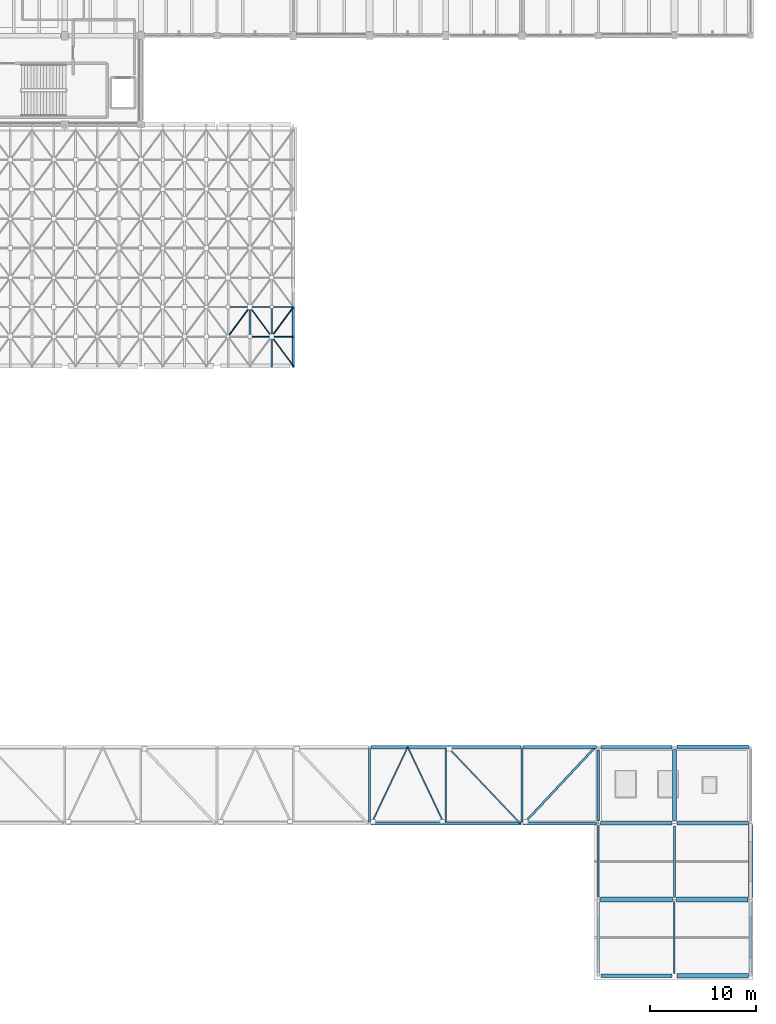
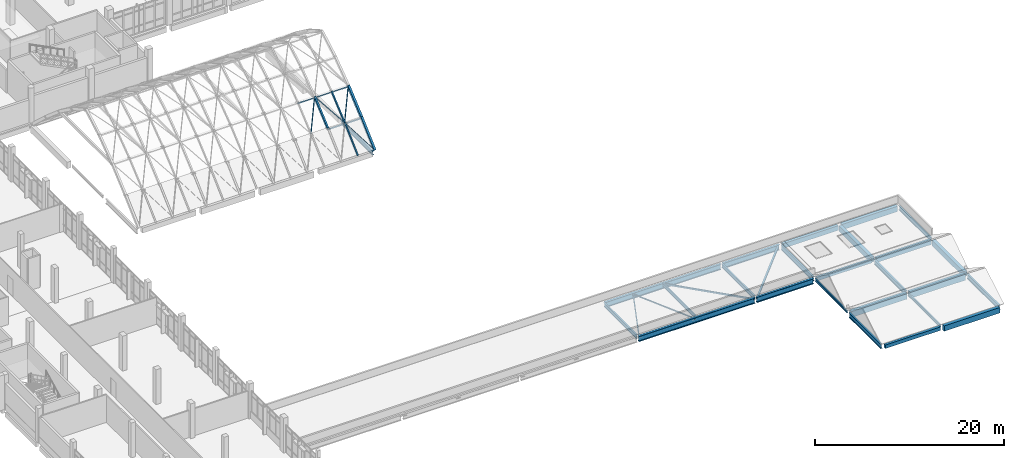
# One storey, part 24 of 87: 25 beams, 18 members.
"""IFC4 building model written with IfcOpenShell, lengths in metres."""

from ifc_helpers import new_model, si_unit, direction, frame, origin, origin_2d, place, context, subcontext, project, spatial, rectangle, hollow_rectangle, hollow_circle, i_section, extrude, material, material_profile, profile_set, type_object, element, save


model = new_model("IFC4")

# Units and contexts
model_context = context("Model", 3, precision=1e-05, world=origin(), true_north=direction((0.0, 1.0)))
body_context = subcontext(model_context, "Body", "Model", "MODEL_VIEW")
ifc_project = project(units=[si_unit("LENGTHUNIT", "METRE"), si_unit("AREAUNIT", "SQUARE_METRE"), si_unit("VOLUMEUNIT", "CUBIC_METRE"), si_unit("PLANEANGLEUNIT", "RADIAN"), si_unit("MASSUNIT", "GRAM", prefix="KILO")], contexts=[model_context])

# Site, building, storey
site_placement = place(None, origin())
site = spatial("IfcSite", under=ifc_project, at=site_placement, CompositionType="ELEMENT")
building_placement = place(site_placement, origin())
building = spatial("IfcBuilding", under=site, at=building_placement, Name="Kalluvel Institute of Natural Sciences", CompositionType="ELEMENT")
storey_placement = place(building_placement, frame((0.0, 0.0, 18.89990234375)))
storey = spatial("IfcBuildingStorey", under=building, at=storey_placement, Name="L04", CompositionType="ELEMENT", Elevation=18.89990234375)

# Beams
ifc_material_1 = material(Name="Steel E350 Grade 350", Category="steel")
ifc_material_profile_1 = material_profile(ifc_material_1, i_section(OverallWidth=0.139892578125, OverallDepth=0.35009765625, WebThickness=0.008056640625, FlangeThickness=0.01416015625, FilletRadius=0.013916015625, at=origin_2d()), Name="ISMB 350")
ifc_profile_set_1 = profile_set([ifc_material_profile_1], Name="Steel E350 Grade 350")
beam_type_1 = type_object("IfcBeamType", Name="BM-ISMB350", PredefinedType="BEAM", material=ifc_profile_set_1)
for number, where, z_axis, x_axis, name in (
    (1, (100.39990234375, 21.425048828125, -0.494873046875), (0.0, 1.0, 0.0), (-1.0, 0.0, 0.0), "L04 girder GIR-L04-NS-X1004-Y212"),
    (2, (107.60009765625, 14.22509765625, -0.494873046875), (0.0, 1.0, 0.0), (-1.0, 0.0, 0.0), "L04 girder GIR-L04-NS-X1076-Y140"),
):
    element("IfcBeam", number, at=place(storey_placement, frame(where, z_axis=z_axis, x_axis=x_axis)), inside=storey, type_object=beam_type_1, Name=name, PredefinedType="BEAM", context=body_context, shape_type="SweptSolid", body=[
        extrude(i_section(OverallWidth=0.139892578125, OverallDepth=0.35009765625, WebThickness=0.008056640625, FlangeThickness=0.01416015625, FilletRadius=0.013916015625, at=origin_2d()), origin(), (0.0, 0.0, 1.0), 6.77490234375),
    ])
ifc_material_profile_2 = material_profile(ifc_material_1, i_section(OverallWidth=0.14990234375, OverallDepth=0.449951171875, WebThickness=0.009521484375, FlangeThickness=0.017333984375, FilletRadius=0.014892578125, at=origin_2d()), Name="ISMB 450")
ifc_profile_set_2 = profile_set([ifc_material_profile_2], Name="Steel E350 Grade 350")
beam_type_2 = type_object("IfcBeamType", Name="BM-ISMB450", PredefinedType="BEAM", material=ifc_profile_set_2)
beam_1_placement = place(storey_placement, frame((86.0, 28.5400390625, -0.474853515625), z_axis=(0.0, 1.0, 0.0), x_axis=(-1.0, 0.0, 0.0)))
element("IfcBeam", 3, at=beam_1_placement, inside=storey, type_object=beam_type_2, Name="L04 link bridge cross girder 77", PredefinedType="BEAM", context=body_context, shape_type="SweptSolid", body=[
    extrude(i_section(OverallWidth=0.14990234375, OverallDepth=0.449951171875, WebThickness=0.009521484375, FlangeThickness=0.017333984375, FilletRadius=0.014892578125, at=origin_2d()), origin(), (0.0, 0.0, 1.0), 6.919921875),
])
ifc_material_profile_3 = material_profile(ifc_material_1, i_section(OverallWidth=0.179931640625, OverallDepth=0.5, WebThickness=0.01025390625, FlangeThickness=0.01708984375, FilletRadius=0.01708984375, at=origin_2d()), Name="ISMB 500")
ifc_profile_set_3 = profile_set([ifc_material_profile_3], Name="Steel E350 Grade 350")
beam_type_3 = type_object("IfcBeamType", Name="BM-ISMB500", PredefinedType="BEAM", material=ifc_profile_set_3)
beam_2_placement = place(storey_placement, frame((71.60009765625, 71.925048828125, -0.56982421875), z_axis=(0.0, 1.0, 0.0), x_axis=(-1.0, 0.0, 0.0)))
element("IfcBeam", 4, at=beam_2_placement, inside=storey, type_object=beam_type_3, Name="L04 girder GIR-L04-NS-X716-Y716", PredefinedType="BEAM", context=body_context, shape_type="SweptSolid", body=[
    extrude(i_section(OverallWidth=0.179931640625, OverallDepth=0.5, WebThickness=0.01025390625, FlangeThickness=0.01708984375, FilletRadius=0.01708984375, at=origin_2d()), origin(), (0.0, 0.0, 1.0), 6.64990234375),
])
beam_3_placement = place(storey_placement, frame((114.800048828125, 28.625, -0.56982421875), z_axis=(0.0, 1.0, 0.0), x_axis=(-1.0, 0.0, 0.0)))
element("IfcBeam", 5, at=beam_3_placement, inside=storey, type_object=beam_type_3, Name="L04 girder GIR-L04-NS-X1148-Y284", PredefinedType="BEAM", context=body_context, shape_type="SweptSolid", body=[
    extrude(i_section(OverallWidth=0.179931640625, OverallDepth=0.5, WebThickness=0.01025390625, FlangeThickness=0.01708984375, FilletRadius=0.01708984375, at=origin_2d()), origin(), (0.0, 0.0, 1.0), 6.77490234375),
])
for number, where, z_axis, x_axis, name in (
    (6, (78.800048828125, 28.5400390625, -0.5), (0.0, 1.0, 0.0), (-1.0, 0.0, 0.0), "L04 link bridge cross girder 76"),
    (7, (93.199951171875, 28.5400390625, -0.5), (0.0, 1.0, 0.0), (-1.0, 0.0, 0.0), "L04 link bridge cross girder 78"),
):
    element("IfcBeam", number, at=place(storey_placement, frame(where, z_axis=z_axis, x_axis=x_axis)), inside=storey, type_object=beam_type_3, Name=name, PredefinedType="BEAM", context=body_context, shape_type="SweptSolid", body=[
        extrude(i_section(OverallWidth=0.179931640625, OverallDepth=0.5, WebThickness=0.01025390625, FlangeThickness=0.01708984375, FilletRadius=0.01708984375, at=origin_2d()), origin(), (0.0, 0.0, 1.0), 6.919921875),
    ])
ifc_material_profile_4 = material_profile(ifc_material_1, i_section(OverallWidth=0.2099609375, OverallDepth=0.60009765625, WebThickness=0.011962890625, FlangeThickness=0.020751953125, FilletRadius=0.02001953125, at=origin_2d()), Name="ISMB 600")
ifc_profile_set_4 = profile_set([ifc_material_profile_4], Name="Steel E350 Grade 350")
beam_type_4 = type_object("IfcBeamType", Name="BM-ISMB600", PredefinedType="BEAM", material=ifc_profile_set_4)
beam_4_placement = place(storey_placement, frame((100.39990234375, 14.25, -0.619873046875), z_axis=(0.0, 1.0, 0.0), x_axis=(-1.0, 0.0, 0.0)))
element("IfcBeam", 8, at=beam_4_placement, inside=storey, type_object=beam_type_4, Name="L04 girder GIR-L04-NS-X1004-Y140", PredefinedType="BEAM", context=body_context, shape_type="SweptSolid", body=[
    extrude(i_section(OverallWidth=0.2099609375, OverallDepth=0.60009765625, WebThickness=0.011962890625, FlangeThickness=0.020751953125, FilletRadius=0.02001953125, at=origin_2d()), origin(), (0.0, 0.0, 1.0), 6.72509765625),
])
for number, where, z_axis, x_axis, name in (
    (9, (100.39990234375, 28.60009765625, -0.619873046875), (0.0, 1.0, 0.0), (-1.0, 0.0, 0.0), "L04 girder GIR-L04-NS-X1004-Y284"),
    (10, (107.60009765625, 21.39990234375, -0.619873046875), (0.0, 1.0, 0.0), (-1.0, 0.0, 0.0), "L04 girder GIR-L04-NS-X1076-Y212"),
    (11, (114.800048828125, 14.199951171875, -0.619873046875), (0.0, 1.0, 0.0), (-1.0, 0.0, 0.0), "L04 girder GIR-L04-NS-X1148-Y140"),
):
    element("IfcBeam", number, at=place(storey_placement, frame(where, z_axis=z_axis, x_axis=x_axis)), inside=storey, type_object=beam_type_4, Name=name, PredefinedType="BEAM", context=body_context, shape_type="SweptSolid", body=[
        extrude(i_section(OverallWidth=0.2099609375, OverallDepth=0.60009765625, WebThickness=0.011962890625, FlangeThickness=0.020751953125, FilletRadius=0.02001953125, at=origin_2d()), origin(), (0.0, 0.0, 1.0), 6.75),
    ])
ifc_material_2 = material(Name="Concrete M40", Category="concrete")
ifc_material_profile_5 = material_profile(ifc_material_2, rectangle(XDim=0.39990234375, YDim=0.699951171875, at=origin_2d()), Name="RCB 400x700")
ifc_profile_set_5 = profile_set([ifc_material_profile_5], Name="Concrete M40")
beam_type_5 = type_object("IfcBeamType", Name="BM-RC400x700", PredefinedType="BEAM", material=ifc_profile_set_5)
for number, where, z_axis, x_axis, name in (
    (12, (107.60009765625, 28.64990234375, -0.669921875), (0.0, 1.0, 0.0), (-1.0, 0.0, 0.0), "L04 girder GIR-L04-NS-X1076-Y284"),
    (13, (114.800048828125, 21.449951171875, -0.669921875), (0.0, 1.0, 0.0), (-1.0, 0.0, 0.0), "L04 girder GIR-L04-NS-X1148-Y212"),
):
    element("IfcBeam", number, at=place(storey_placement, frame(where, z_axis=z_axis, x_axis=x_axis)), inside=storey, type_object=beam_type_5, Name=name, PredefinedType="BEAM", context=body_context, shape_type="SweptSolid", body=[
        extrude(rectangle(XDim=0.39990234375, YDim=0.699951171875, at=origin_2d()), origin(), (0.0, 0.0, 1.0), 6.72509765625),
    ])
ifc_material_profile_6 = material_profile(ifc_material_2, rectangle(XDim=0.449951171875, YDim=0.75, at=origin_2d()), Name="RCB 450x750")
ifc_profile_set_6 = profile_set([ifc_material_profile_6], Name="Concrete M40")
beam_type_6 = type_object("IfcBeamType", Name="BM-RC450x750", PredefinedType="BEAM", material=ifc_profile_set_6)
beam_5_placement = place(storey_placement, frame((100.625, 21.199951171875, -0.69482421875), z_axis=(1.0, 0.0, 0.0), x_axis=(0.0, 1.0, 0.0)))
element("IfcBeam", 14, at=beam_5_placement, inside=storey, type_object=beam_type_6, Name="L04 girder GIR-L04-EW-X1004-Y212", PredefinedType="BEAM", context=body_context, shape_type="SweptSolid", body=[
    extrude(rectangle(XDim=0.449951171875, YDim=0.75, at=origin_2d()), origin(), (0.0, 0.0, 1.0), 6.77490234375),
])
ifc_material_profile_7 = material_profile(ifc_material_2, rectangle(XDim=0.449951171875, YDim=0.800048828125, at=origin_2d()), Name="RCB 450x800")
ifc_profile_set_7 = profile_set([ifc_material_profile_7], Name="Concrete M40")
beam_type_7 = type_object("IfcBeamType", Name="BM-RC450x800", PredefinedType="BEAM", material=ifc_profile_set_7)
beam_6_placement = place(storey_placement, frame((107.800048828125, 21.199951171875, -0.719970703125), z_axis=(1.0, 0.0, 0.0), x_axis=(0.0, 1.0, 0.0)))
element("IfcBeam", 15, at=beam_6_placement, inside=storey, type_object=beam_type_7, Name="L04 girder GIR-L04-EW-X1076-Y212", PredefinedType="BEAM", context=body_context, shape_type="SweptSolid", body=[
    extrude(rectangle(XDim=0.449951171875, YDim=0.800048828125, at=origin_2d()), origin(), (0.0, 0.0, 1.0), 6.75),
])
ifc_material_profile_8 = material_profile(ifc_material_1, i_section(OverallWidth=0.280029296875, OverallDepth=0.699951171875, WebThickness=0.013916015625, FlangeThickness=0.02392578125, FilletRadius=0.01611328125, at=origin_2d()), Name="WPG 700x280")
ifc_profile_set_8 = profile_set([ifc_material_profile_8], Name="Steel E350 Grade 350")
beam_type_8 = type_object("IfcBeamType", Name="BM-WPG700", PredefinedType="BEAM", material=ifc_profile_set_8)
beam_7_placement = place(storey_placement, frame((78.909912109375, 28.39990234375, -0.669921875), z_axis=(1.0, 0.0, 0.0), x_axis=(0.0, 1.0, 0.0)))
element("IfcBeam", 16, at=beam_7_placement, inside=storey, type_object=beam_type_8, Name="L04 link bridge main plate-girder chord 14", PredefinedType="BEAM", context=body_context, shape_type="SweptSolid", body=[
    extrude(i_section(OverallWidth=0.280029296875, OverallDepth=0.699951171875, WebThickness=0.013916015625, FlangeThickness=0.02392578125, FilletRadius=0.01611328125, at=origin_2d()), origin(), (0.0, 0.0, 1.0), 14.18017578125),
])
beam_8_placement = place(storey_placement, frame((93.31005859375, 28.39990234375, -0.669921875), z_axis=(1.0, 0.0, 0.0), x_axis=(0.0, 1.0, 0.0)))
element("IfcBeam", 17, at=beam_8_placement, inside=storey, type_object=beam_type_8, Name="L04 link bridge main plate-girder chord 15", PredefinedType="BEAM", context=body_context, shape_type="SweptSolid", body=[
    extrude(i_section(OverallWidth=0.280029296875, OverallDepth=0.699951171875, WebThickness=0.013916015625, FlangeThickness=0.02392578125, FilletRadius=0.01611328125, at=origin_2d()), origin(), (0.0, 0.0, 1.0), 6.929931640625),
])
beam_9_placement = place(storey_placement, frame((78.909912109375, 35.60009765625, -0.669921875), z_axis=(1.0, 0.0, 0.0), x_axis=(0.0, 1.0, 0.0)))
element("IfcBeam", 18, at=beam_9_placement, inside=storey, type_object=beam_type_8, Name="L04 link bridge main plate-girder chord 41", PredefinedType="BEAM", context=body_context, shape_type="SweptSolid", body=[
    extrude(i_section(OverallWidth=0.280029296875, OverallDepth=0.699951171875, WebThickness=0.013916015625, FlangeThickness=0.02392578125, FilletRadius=0.01611328125, at=origin_2d()), origin(), (0.0, 0.0, 1.0), 14.18017578125),
])
beam_10_placement = place(storey_placement, frame((93.31005859375, 35.60009765625, -0.669921875), z_axis=(1.0, 0.0, 0.0), x_axis=(0.0, 1.0, 0.0)))
element("IfcBeam", 19, at=beam_10_placement, inside=storey, type_object=beam_type_8, Name="L04 link bridge main plate-girder chord 42", PredefinedType="BEAM", context=body_context, shape_type="SweptSolid", body=[
    extrude(i_section(OverallWidth=0.280029296875, OverallDepth=0.699951171875, WebThickness=0.013916015625, FlangeThickness=0.02392578125, FilletRadius=0.01611328125, at=origin_2d()), origin(), (0.0, 0.0, 1.0), 6.929931640625),
])

# Members
ifc_material_profile_9 = material_profile(ifc_material_1, hollow_rectangle(XDim=0.14990234375, YDim=0.25, WallThickness=0.010009765625, at=origin_2d()), Name="RHS 250x150x10")
ifc_profile_set_9 = profile_set([ifc_material_profile_9], Name="Steel E350 Grade 350")
member_type_1 = type_object("IfcMemberType", Name="MB-ARCH-SEG250", PredefinedType="USERDEFINED", material=ifc_profile_set_9)
member_1_placement = place(storey_placement, frame((69.54296875, 71.60009765625, 0.0), z_axis=(0.0, 0.733088696682, 0.680133047864), x_axis=(-1.0, 0.0, 0.0)))
element("IfcMember", 20, at=member_1_placement, inside=storey, type_object=member_type_1, Name="Atrium gridshell pointed arch segment 105", ObjectType="ARCH_SEGMENT", PredefinedType="USERDEFINED", context=body_context, shape_type="SweptSolid", body=[
    extrude(hollow_rectangle(XDim=0.14990234375, YDim=0.25, WallThickness=0.010009765625, at=origin_2d()), origin(), (0.0, 0.0, 1.0), 3.798828125),
])
member_2_placement = place(storey_placement, frame((69.54296875, 74.385009765625, 2.583740234375), z_axis=(0.0, 0.758448754264, 0.651732680748), x_axis=(-1.0, 0.0, 0.0)))
element("IfcMember", 21, at=member_2_placement, inside=storey, type_object=member_type_1, Name="Atrium gridshell pointed arch segment 106", ObjectType="ARCH_SEGMENT", PredefinedType="USERDEFINED", context=body_context, shape_type="SweptSolid", body=[
    extrude(hollow_rectangle(XDim=0.14990234375, YDim=0.25, WallThickness=0.010009765625, at=origin_2d()), origin(), (0.0, 0.0, 1.0), 3.671875),
])
ifc_material_profile_10 = material_profile(ifc_material_1, hollow_rectangle(XDim=0.199951171875, YDim=0.300048828125, WallThickness=0.011962890625, at=origin_2d()), Name="RHS 300x200x12")
ifc_profile_set_10 = profile_set([ifc_material_profile_10], Name="Steel E350 Grade 350")
member_type_2 = type_object("IfcMemberType", Name="MB-ARCH-SEG300", PredefinedType="USERDEFINED", material=ifc_profile_set_10)
member_3_placement = place(storey_placement, frame((67.485595703125, 74.385009765625, 2.583740234375), z_axis=(0.0, 0.758448754264, 0.651732680748), x_axis=(-1.0, 0.0, 0.0)))
element("IfcMember", 22, at=member_3_placement, inside=storey, type_object=member_type_2, Name="Atrium gridshell pointed arch segment 98", ObjectType="ARCH_SEGMENT", PredefinedType="USERDEFINED", context=body_context, shape_type="SweptSolid", body=[
    extrude(hollow_rectangle(XDim=0.199951171875, YDim=0.300048828125, WallThickness=0.011962890625, at=origin_2d()), origin(), (0.0, 0.0, 1.0), 3.671875),
])
ifc_material_profile_11 = material_profile(ifc_material_1, hollow_rectangle(XDim=0.25, YDim=0.35009765625, WallThickness=0.012451171875, at=origin_2d()), Name="RHS 350x250x12")
ifc_profile_set_11 = profile_set([ifc_material_profile_11], Name="Steel E350 Grade 350")
member_type_3 = type_object("IfcMemberType", Name="MB-ARCH-SEG350", PredefinedType="USERDEFINED", material=ifc_profile_set_11)
member_4_placement = place(storey_placement, frame((71.60009765625, 71.60009765625, 0.0), z_axis=(0.0, 0.733088696682, 0.680133047864), x_axis=(-1.0, 0.0, 0.0)))
element("IfcMember", 23, at=member_4_placement, inside=storey, type_object=member_type_3, Name="Atrium gridshell pointed arch segment 113", ObjectType="ARCH_SEGMENT", PredefinedType="USERDEFINED", context=body_context, shape_type="SweptSolid", body=[
    extrude(hollow_rectangle(XDim=0.25, YDim=0.35009765625, WallThickness=0.012451171875, at=origin_2d()), origin(), (0.0, 0.0, 1.0), 3.798828125),
])
member_5_placement = place(storey_placement, frame((71.60009765625, 74.385009765625, 2.583740234375), z_axis=(0.0, 0.758448754264, 0.651732680748), x_axis=(-1.0, 0.0, 0.0)))
element("IfcMember", 24, at=member_5_placement, inside=storey, type_object=member_type_3, Name="Atrium gridshell pointed arch segment 114", ObjectType="ARCH_SEGMENT", PredefinedType="USERDEFINED", context=body_context, shape_type="SweptSolid", body=[
    extrude(hollow_rectangle(XDim=0.25, YDim=0.35009765625, WallThickness=0.012451171875, at=origin_2d()), origin(), (0.0, 0.0, 1.0), 3.671875),
])
ifc_material_profile_12 = material_profile(ifc_material_1, hollow_circle(Radius=0.05712890625, WallThickness=0.006103515625, at=origin_2d()), Name="CHS 114.3x6.0")
ifc_profile_set_12 = profile_set([ifc_material_profile_12], Name="Steel E350 Grade 350")
member_type_4 = type_object("IfcMemberType", Name="MB-BR-CHS114", PredefinedType="BRACE", material=ifc_profile_set_12)
member_6_placement = place(storey_placement, frame((69.54296875, 74.385009765625, 2.603759765625), z_axis=(-0.488808737378, 0.661663850394, 0.568565710666), x_axis=(-0.804319726107, -0.594196750408, 0.0)))
element("IfcMember", 25, at=member_6_placement, inside=storey, type_object=member_type_4, Name="Atrium gridshell diagonal brace 98", PredefinedType="BRACE", context=body_context, shape_type="SweptSolid", body=[
    extrude(hollow_circle(Radius=0.05712890625, WallThickness=0.006103515625, at=origin_2d()), origin(), (0.0, 0.0, 1.0), 4.208984375),
])
member_7_placement = place(storey_placement, frame((71.60009765625, 71.60009765625, 0.02001953125), z_axis=(-0.476176678593, 0.644641273761, 0.598074743597), x_axis=(-0.804353425168, -0.594151131802, 0.0)))
element("IfcMember", 26, at=member_7_placement, inside=storey, type_object=member_type_4, Name="Atrium gridshell diagonal brace 105", PredefinedType="BRACE", context=body_context, shape_type="SweptSolid", body=[
    extrude(hollow_circle(Radius=0.05712890625, WallThickness=0.006103515625, at=origin_2d()), origin(), (0.0, 0.0, 1.0), 4.320068359375),
])
ifc_material_profile_13 = material_profile(ifc_material_1, hollow_circle(Radius=0.06982421875, WallThickness=0.008056640625, at=origin_2d()), Name="CHS 139.7x8.0")
ifc_profile_set_13 = profile_set([ifc_material_profile_13], Name="Steel E350 Grade 350")
member_type_5 = type_object("IfcMemberType", Name="MB-BR-CHS139", PredefinedType="BRACE", material=ifc_profile_set_13)
for number, where, z_axis, x_axis, name in (
    (27, (65.4287109375, 74.385009765625, 2.603759765625), (0.48872043849, 0.661701369953, 0.568597951108), (-0.804387124464, 0.594105507461, 0.0), "Atrium gridshell diagonal brace 90"),
    (28, (69.54296875, 74.385009765625, 2.603759765625), (0.488764589812, 0.661682610489, 0.568581831158), (-0.804353425168, 0.594151131802, 0.0), "Atrium gridshell diagonal brace 106"),
):
    element("IfcMember", number, at=place(storey_placement, frame(where, z_axis=z_axis, x_axis=x_axis)), inside=storey, type_object=member_type_5, Name=name, PredefinedType="BRACE", context=body_context, shape_type="SweptSolid", body=[
        extrude(hollow_circle(Radius=0.06982421875, WallThickness=0.008056640625, at=origin_2d()), origin(), (0.0, 0.0, 1.0), 4.208740234375),
    ])
ifc_material_profile_14 = material_profile(ifc_material_1, hollow_rectangle(XDim=0.1201171875, YDim=0.199951171875, WallThickness=0.008056640625, at=origin_2d()), Name="RHS 200x120x8")
ifc_profile_set_14 = profile_set([ifc_material_profile_14], Name="Steel E350 Grade 350")
member_type_6 = type_object("IfcMemberType", Name="MB-BR-RHS200", PredefinedType="BRACE", material=ifc_profile_set_14)
member_8_placement = place(storey_placement, frame((86.179931640625, 35.60009765625, -0.52978515625), z_axis=(0.688744293312, -0.725004343732, 0.0), x_axis=(0.725004343732, 0.688744293312, 0.0)))
element("IfcMember", 29, at=member_8_placement, inside=storey, type_object=member_type_6, Name="L04 link bridge horizontal plan brace L04-08-1", PredefinedType="BRACE", context=body_context, shape_type="SweptSolid", body=[
    extrude(hollow_rectangle(XDim=0.1201171875, YDim=0.199951171875, WallThickness=0.008056640625, at=origin_2d()), origin(), (0.0, 0.0, 1.0), 9.93115234375),
])
ifc_material_profile_15 = material_profile(ifc_material_1, hollow_rectangle(XDim=0.1201171875, YDim=0.1201171875, WallThickness=0.006103515625, at=origin_2d()), Name="SHS 120x120x6")
ifc_profile_set_15 = profile_set([ifc_material_profile_15], Name="Steel E350 Grade 350")
member_type_7 = type_object("IfcMemberType", Name="MB-BR-SHS120", PredefinedType="BRACE", material=ifc_profile_set_15)
for number, where, z_axis, x_axis, name in (
    (30, (78.97998046875, 28.39990234375, -0.52978515625), (0.429039321605, 0.903285813304, 0.0), (-0.903285813304, 0.429039321605, 0.0), "L04 link bridge horizontal plan brace L04-07-1"),
    (31, (82.39990234375, 35.60009765625, -0.52978515625), (0.429064311405, -0.903273943319, 0.0), (0.903273943319, 0.429064311405, 0.0), "L04 link bridge horizontal plan brace L04-07-2"),
):
    element("IfcMember", number, at=place(storey_placement, frame(where, z_axis=z_axis, x_axis=x_axis)), inside=storey, type_object=member_type_7, Name=name, PredefinedType="BRACE", context=body_context, shape_type="SweptSolid", body=[
        extrude(hollow_rectangle(XDim=0.1201171875, YDim=0.1201171875, WallThickness=0.006103515625, at=origin_2d()), origin(), (0.0, 0.0, 1.0), 7.97119140625),
    ])
ifc_material_profile_16 = material_profile(ifc_material_1, hollow_rectangle(XDim=0.199951171875, YDim=0.199951171875, WallThickness=0.010009765625, at=origin_2d()), Name="SHS 200x200x10")
ifc_profile_set_16 = profile_set([ifc_material_profile_16], Name="Steel E350 Grade 350")
member_type_8 = type_object("IfcMemberType", Name="MB-BR-SHS200", PredefinedType="BRACE", material=ifc_profile_set_16)
member_9_placement = place(storey_placement, frame((93.3798828125, 28.39990234375, -0.52978515625), z_axis=(0.683404078651, 0.730040317574, 0.0), x_axis=(-0.730040317574, 0.683404078651, 0.0)))
element("IfcMember", 32, at=member_9_placement, inside=storey, type_object=member_type_8, Name="L04 link bridge horizontal plan brace L04-09-1", PredefinedType="BRACE", context=body_context, shape_type="SweptSolid", body=[
    extrude(hollow_rectangle(XDim=0.199951171875, YDim=0.199951171875, WallThickness=0.010009765625, at=origin_2d()), origin(), (0.0, 0.0, 1.0), 9.86279296875),
])
ifc_material_profile_17 = material_profile(ifc_material_1, hollow_rectangle(XDim=0.080078125, YDim=0.139892578125, WallThickness=0.006103515625, at=origin_2d()), Name="RHS 140x80x6")
ifc_profile_set_17 = profile_set([ifc_material_profile_17], Name="Steel E350 Grade 350")
member_type_9 = type_object("IfcMemberType", Name="MB-PURL-RHS140", PredefinedType="PURLIN", material=ifc_profile_set_17)
member_10_placement = place(storey_placement, frame((65.4287109375, 77.169921875, 4.8369140625), z_axis=(1.0, 0.0, 0.0), x_axis=(0.0, 1.0, 0.0)))
element("IfcMember", 33, at=member_10_placement, inside=storey, type_object=member_type_9, Name="Atrium gridshell longitudinal purlin 79", PredefinedType="PURLIN", context=body_context, shape_type="SweptSolid", body=[
    extrude(hollow_rectangle(XDim=0.080078125, YDim=0.139892578125, WallThickness=0.006103515625, at=origin_2d()), origin(), (0.0, 0.0, 1.0), 2.056884765625),
])
member_11_placement = place(storey_placement, frame((67.485595703125, 77.169921875, 4.8369140625), z_axis=(1.0, 0.0, 0.0), x_axis=(0.0, 1.0, 0.0)))
element("IfcMember", 34, at=member_11_placement, inside=storey, type_object=member_type_9, Name="Atrium gridshell longitudinal purlin 86", PredefinedType="PURLIN", context=body_context, shape_type="SweptSolid", body=[
    extrude(hollow_rectangle(XDim=0.080078125, YDim=0.139892578125, WallThickness=0.006103515625, at=origin_2d()), origin(), (0.0, 0.0, 1.0), 2.057373046875),
])
member_12_placement = place(storey_placement, frame((69.54296875, 77.169921875, 4.8369140625), z_axis=(1.0, 0.0, 0.0), x_axis=(0.0, 1.0, 0.0)))
element("IfcMember", 35, at=member_12_placement, inside=storey, type_object=member_type_9, Name="Atrium gridshell longitudinal purlin 93", PredefinedType="PURLIN", context=body_context, shape_type="SweptSolid", body=[
    extrude(hollow_rectangle(XDim=0.080078125, YDim=0.139892578125, WallThickness=0.006103515625, at=origin_2d()), origin(), (0.0, 0.0, 1.0), 2.05712890625),
])
ifc_material_profile_18 = material_profile(ifc_material_1, hollow_rectangle(XDim=0.090087890625, YDim=0.159912109375, WallThickness=0.008056640625, at=origin_2d()), Name="RHS 160x90x8")
ifc_profile_set_18 = profile_set([ifc_material_profile_18], Name="Steel E350 Grade 350")
member_type_10 = type_object("IfcMemberType", Name="MB-PURL-RHS160", PredefinedType="PURLIN", material=ifc_profile_set_18)
member_13_placement = place(storey_placement, frame((67.485595703125, 74.385009765625, 2.443603515625), z_axis=(1.0, 0.0, 0.0), x_axis=(0.0, 1.0, 0.0)))
element("IfcMember", 36, at=member_13_placement, inside=storey, type_object=member_type_10, Name="Atrium gridshell longitudinal purlin 85", PredefinedType="PURLIN", context=body_context, shape_type="SweptSolid", body=[
    extrude(hollow_rectangle(XDim=0.090087890625, YDim=0.159912109375, WallThickness=0.008056640625, at=origin_2d()), origin(), (0.0, 0.0, 1.0), 2.057373046875),
])
member_14_placement = place(storey_placement, frame((69.54296875, 74.385009765625, 2.443603515625), z_axis=(1.0, 0.0, 0.0), x_axis=(0.0, 1.0, 0.0)))
element("IfcMember", 37, at=member_14_placement, inside=storey, type_object=member_type_10, Name="Atrium gridshell longitudinal purlin 92", PredefinedType="PURLIN", context=body_context, shape_type="SweptSolid", body=[
    extrude(hollow_rectangle(XDim=0.090087890625, YDim=0.159912109375, WallThickness=0.008056640625, at=origin_2d()), origin(), (0.0, 0.0, 1.0), 2.05712890625),
])

# Beams
ifc_material_profile_19 = material_profile(ifc_material_2, rectangle(XDim=0.300048828125, YDim=0.449951171875, at=origin_2d()), Name="RCB 300x450")
ifc_profile_set_19 = profile_set([ifc_material_profile_19], Name="Concrete M40")
beam_type_9 = type_object("IfcBeamType", Name="SP-RC300x450", PredefinedType="SPANDREL", material=ifc_profile_set_19)
beam_11_placement = place(storey_placement, frame((100.64990234375, 14.0, -0.544921875), z_axis=(1.0, 0.0, 0.0), x_axis=(0.0, 1.0, 0.0)))
element("IfcBeam", 38, at=beam_11_placement, inside=storey, type_object=beam_type_9, Name="L04 girder GIR-L04-EW-X1004-Y140", PredefinedType="SPANDREL", context=body_context, shape_type="SweptSolid", body=[
    extrude(rectangle(XDim=0.300048828125, YDim=0.449951171875, at=origin_2d()), origin(), (0.0, 0.0, 1.0), 6.72509765625),
])
beam_12_placement = place(storey_placement, frame((100.60009765625, 28.39990234375, -0.544921875), z_axis=(1.0, 0.0, 0.0), x_axis=(0.0, 1.0, 0.0)))
element("IfcBeam", 39, at=beam_12_placement, inside=storey, type_object=beam_type_9, Name="L04 girder GIR-L04-EW-X1004-Y284", PredefinedType="SPANDREL", context=body_context, shape_type="SweptSolid", body=[
    extrude(rectangle(XDim=0.300048828125, YDim=0.449951171875, at=origin_2d()), origin(), (0.0, 0.0, 1.0), 6.75),
])
ifc_material_profile_20 = material_profile(ifc_material_2, rectangle(XDim=0.35009765625, YDim=0.60009765625, at=origin_2d()), Name="RCB 350x600")
ifc_profile_set_20 = profile_set([ifc_material_profile_20], Name="Concrete M40")
beam_type_10 = type_object("IfcBeamType", Name="SP-RC350x600", PredefinedType="SPANDREL", material=ifc_profile_set_20)
beam_13_placement = place(storey_placement, frame((107.85009765625, 28.39990234375, -0.619873046875), z_axis=(1.0, 0.0, 0.0), x_axis=(0.0, 1.0, 0.0)))
element("IfcBeam", 40, at=beam_13_placement, inside=storey, type_object=beam_type_10, Name="L04 girder GIR-L04-EW-X1076-Y284", PredefinedType="SPANDREL", context=body_context, shape_type="SweptSolid", body=[
    extrude(rectangle(XDim=0.35009765625, YDim=0.60009765625, at=origin_2d()), origin(), (0.0, 0.0, 1.0), 6.724853515625),
])
beam_14_placement = place(storey_placement, frame((100.64990234375, 35.60009765625, -0.619873046875), z_axis=(1.0, 0.0, 0.0), x_axis=(0.0, 1.0, 0.0)))
element("IfcBeam", 41, at=beam_14_placement, inside=storey, type_object=beam_type_10, Name="L04 girder GIR-L04-EW-X1004-Y356", PredefinedType="SPANDREL", context=body_context, shape_type="SweptSolid", body=[
    extrude(rectangle(XDim=0.35009765625, YDim=0.60009765625, at=origin_2d()), origin(), (0.0, 0.0, 1.0), 6.72509765625),
])
ifc_material_profile_21 = material_profile(ifc_material_2, rectangle(XDim=0.39990234375, YDim=0.699951171875, at=origin_2d()), Name="RCB 400x700")
ifc_profile_set_21 = profile_set([ifc_material_profile_21], Name="Concrete M40")
beam_type_11 = type_object("IfcBeamType", Name="SP-RC400x700", PredefinedType="SPANDREL", material=ifc_profile_set_21)
for number, where, z_axis, x_axis, name in (
    (42, (107.824951171875, 14.0, -0.669921875), (1.0, 0.0, 0.0), (0.0, 1.0, 0.0), "L04 girder GIR-L04-EW-X1076-Y140"),
    (43, (107.824951171875, 35.60009765625, -0.669921875), (1.0, 0.0, 0.0), (0.0, 1.0, 0.0), "L04 girder GIR-L04-EW-X1076-Y356"),
):
    element("IfcBeam", number, at=place(storey_placement, frame(where, z_axis=z_axis, x_axis=x_axis)), inside=storey, type_object=beam_type_11, Name=name, PredefinedType="SPANDREL", context=body_context, shape_type="SweptSolid", body=[
        extrude(rectangle(XDim=0.39990234375, YDim=0.699951171875, at=origin_2d()), origin(), (0.0, 0.0, 1.0), 6.775146484375),
    ])

save(model, "model.ifc")
